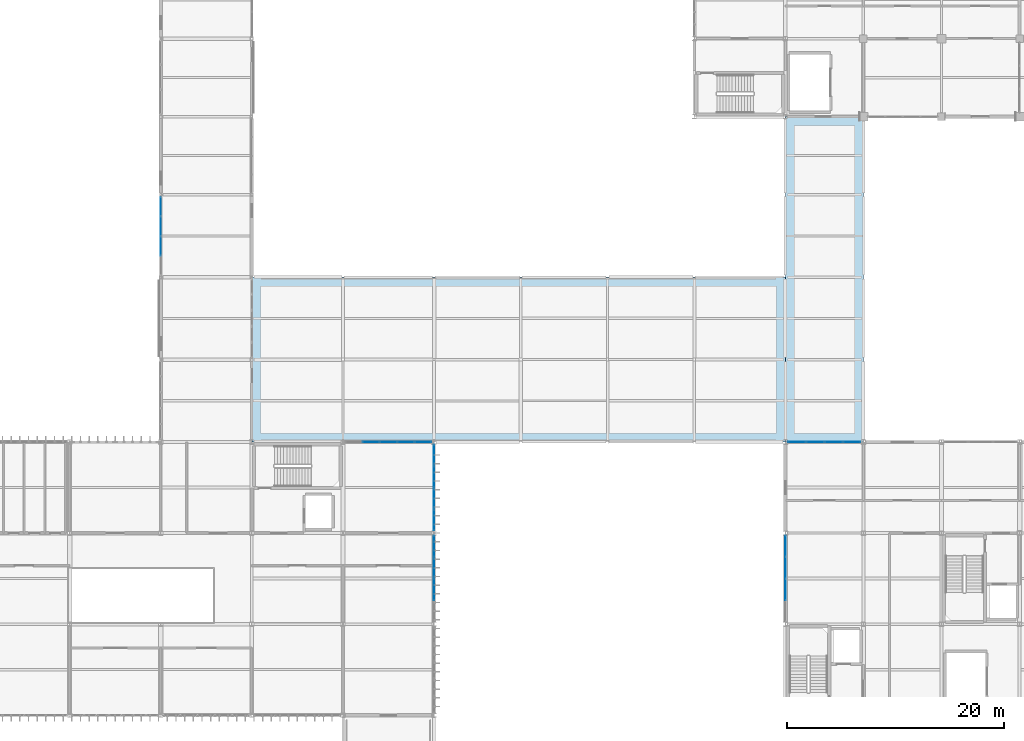
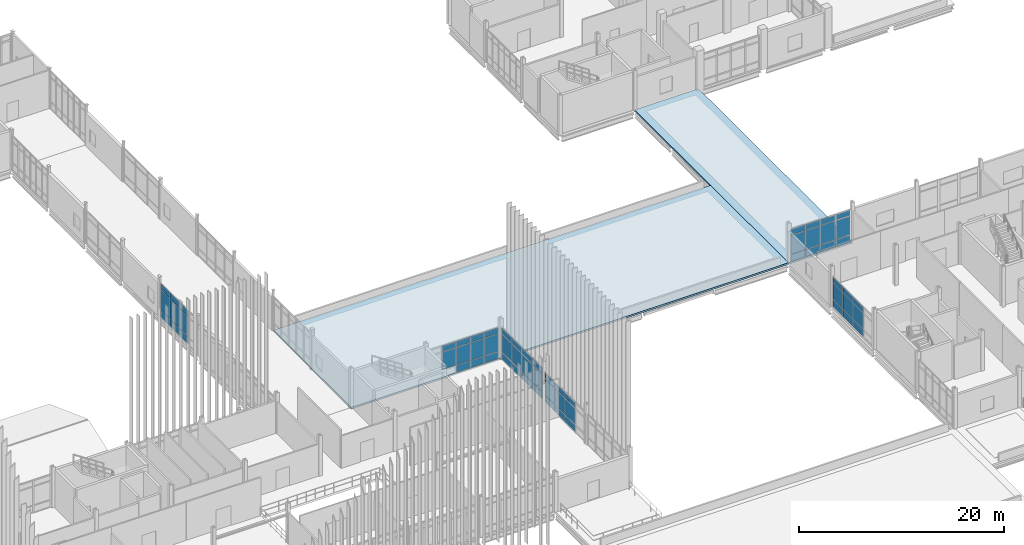
# One storey, part 100 of 153: 62 plates, 2 slabs, 6 elements without a shape of their own.
"""IFC4 building model written with IfcOpenShell, lengths in metres."""

from ifc_helpers import new_model, si_unit, direction, frame, origin, origin_2d, place, context, subcontext, project, spatial, polyline, rectangle, outline, extrude, material, layer, layer_set, type_object, element, aggregate, save


model = new_model("IFC4")

# Units and contexts
model_context = context("Model", 3, precision=1e-05, world=origin(), true_north=direction((0.0, 1.0)))
body_context = subcontext(model_context, "Body", "Model", "MODEL_VIEW")
ifc_project = project(units=[si_unit("LENGTHUNIT", "METRE"), si_unit("AREAUNIT", "SQUARE_METRE"), si_unit("VOLUMEUNIT", "CUBIC_METRE"), si_unit("PLANEANGLEUNIT", "RADIAN"), si_unit("MASSUNIT", "GRAM", prefix="KILO")], contexts=[model_context])

# Site, building, storey
site_placement = place(None, origin())
site = spatial("IfcSite", under=ifc_project, at=site_placement, CompositionType="ELEMENT")
building_placement = place(site_placement, origin())
building = spatial("IfcBuilding", under=site, at=building_placement, Name="Calvrana Isthmian Art Gallery", CompositionType="ELEMENT")
storey_placement = place(building_placement, frame((0.0, 0.0, 10.199951171875)))
storey = spatial("IfcBuildingStorey", under=building, at=storey_placement, Name="L02", CompositionType="ELEMENT", Elevation=10.199951171875)

# Curtain wall, plates
ifc_material_1 = material(Name="Anodized bronze aluminium 6063-T6", Category="aluminium")
ifc_layer_1 = layer(ifc_material_1, 0.179931640625, Name="Anodized bronze aluminium 6063-T6")
ifc_layer_set_1 = layer_set([ifc_layer_1], Name="Anodized bronze aluminium 6063-T6")
curtain_wall_type_1 = type_object("IfcCurtainWallType", Name="CW-UNIT-073X41", PredefinedType="USERDEFINED", material=ifc_layer_set_1)
curtain_wall_1_placement = place(storey_placement, origin())
curtain_wall_1 = element("IfcCurtainWall", 1, at=curtain_wall_1_placement, inside=storey, type_object=curtain_wall_type_1, Name="Curtain wall CW-170", ObjectType="UNITISED CURTAIN WALL", PredefinedType="USERDEFINED")
ifc_material_2 = material(Name="Polychrome glazed terracotta", Category="masonry")
ifc_layer_2 = layer(ifc_material_2, 0.033935546875, Name="Polychrome glazed terracotta")
ifc_layer_set_2 = layer_set([ifc_layer_2], Name="Polychrome glazed terracotta")
plate_type_1 = type_object("IfcPlateType", Name="CWP-SPANDREL-34", PredefinedType="CURTAIN_PANEL", material=ifc_layer_set_2)
plate_1_placement = place(storey_placement, frame((55.199951171875, 64.872314453125, 0.06005859375), z_axis=(0.0, 0.0, 1.0), x_axis=(0.0, 1.0, 0.0)))
plate_1 = element("IfcPlate", 2, at=plate_1_placement, type_object=plate_type_1, Name="CW-170 panel 2.1", PredefinedType="CURTAIN_PANEL", context=body_context, shape_type="SweptSolid", body=[
    extrude(rectangle(XDim=1.76513671875, YDim=0.033935546875, at=origin_2d()), origin(), (0.0, 0.0, 1.0), 0.81005859375),
])
plate_2_placement = place(storey_placement, frame((55.199951171875, 64.872314453125, 0.93017578125), z_axis=(0.0, 0.0, 1.0), x_axis=(0.0, 1.0, 0.0)))
plate_2 = element("IfcPlate", 3, at=plate_2_placement, type_object=plate_type_1, Name="CW-170 panel 2.2", PredefinedType="CURTAIN_PANEL", context=body_context, shape_type="SweptSolid", body=[
    extrude(rectangle(XDim=1.76513671875, YDim=0.033935546875, at=origin_2d()), origin(), (0.0, 0.0, 1.0), 2.367919921875),
])
plate_3_placement = place(storey_placement, frame((55.199951171875, 64.872314453125, 3.35791015625), z_axis=(0.0, 0.0, 1.0), x_axis=(0.0, 1.0, 0.0)))
plate_3 = element("IfcPlate", 4, at=plate_3_placement, type_object=plate_type_1, Name="CW-170 panel 2.3", PredefinedType="CURTAIN_PANEL", context=body_context, shape_type="SweptSolid", body=[
    extrude(rectangle(XDim=1.76513671875, YDim=0.033935546875, at=origin_2d()), origin(), (0.0, 0.0, 1.0), 0.659912109375),
])
plate_4_placement = place(storey_placement, frame((55.199951171875, 66.702392578125, 0.06005859375), z_axis=(0.0, 0.0, 1.0), x_axis=(0.0, 1.0, 0.0)))
plate_4 = element("IfcPlate", 5, at=plate_4_placement, type_object=plate_type_1, Name="CW-170 panel 3.1", PredefinedType="CURTAIN_PANEL", context=body_context, shape_type="SweptSolid", body=[
    extrude(rectangle(XDim=1.76513671875, YDim=0.033935546875, at=origin_2d()), origin(), (0.0, 0.0, 1.0), 0.81005859375),
])
plate_5_placement = place(storey_placement, frame((55.199951171875, 66.702392578125, 0.93017578125), z_axis=(0.0, 0.0, 1.0), x_axis=(0.0, 1.0, 0.0)))
plate_5 = element("IfcPlate", 6, at=plate_5_placement, type_object=plate_type_1, Name="CW-170 panel 3.2", PredefinedType="CURTAIN_PANEL", context=body_context, shape_type="SweptSolid", body=[
    extrude(rectangle(XDim=1.76513671875, YDim=0.033935546875, at=origin_2d()), origin(), (0.0, 0.0, 1.0), 2.367919921875),
])
plate_6_placement = place(storey_placement, frame((55.199951171875, 66.702392578125, 3.35791015625), z_axis=(0.0, 0.0, 1.0), x_axis=(0.0, 1.0, 0.0)))
plate_6 = element("IfcPlate", 7, at=plate_6_placement, type_object=plate_type_1, Name="CW-170 panel 3.3", PredefinedType="CURTAIN_PANEL", context=body_context, shape_type="SweptSolid", body=[
    extrude(rectangle(XDim=1.76513671875, YDim=0.033935546875, at=origin_2d()), origin(), (0.0, 0.0, 1.0), 0.659912109375),
])
plate_7_placement = place(storey_placement, frame((55.199951171875, 68.516357421875, 0.06005859375), z_axis=(0.0, 0.0, 1.0), x_axis=(0.0, 1.0, 0.0)))
plate_7 = element("IfcPlate", 8, at=plate_7_placement, type_object=plate_type_1, Name="CW-170 panel 4.1", PredefinedType="CURTAIN_PANEL", context=body_context, shape_type="SweptSolid", body=[
    extrude(rectangle(XDim=1.732666015625, YDim=0.033935546875, at=origin_2d()), origin(), (0.0, 0.0, 1.0), 0.81005859375),
])
plate_8_placement = place(storey_placement, frame((55.199951171875, 68.516357421875, 0.93017578125), z_axis=(0.0, 0.0, 1.0), x_axis=(0.0, 1.0, 0.0)))
plate_8 = element("IfcPlate", 9, at=plate_8_placement, type_object=plate_type_1, Name="CW-170 panel 4.2", PredefinedType="CURTAIN_PANEL", context=body_context, shape_type="SweptSolid", body=[
    extrude(rectangle(XDim=1.732666015625, YDim=0.033935546875, at=origin_2d()), origin(), (0.0, 0.0, 1.0), 2.367919921875),
])
plate_9_placement = place(storey_placement, frame((55.199951171875, 68.516357421875, 3.35791015625), z_axis=(0.0, 0.0, 1.0), x_axis=(0.0, 1.0, 0.0)))
plate_9 = element("IfcPlate", 10, at=plate_9_placement, type_object=plate_type_1, Name="CW-170 panel 4.3", PredefinedType="CURTAIN_PANEL", context=body_context, shape_type="SweptSolid", body=[
    extrude(rectangle(XDim=1.732666015625, YDim=0.033935546875, at=origin_2d()), origin(), (0.0, 0.0, 1.0), 0.659912109375),
])
aggregate(curtain_wall_1, [plate_1, plate_2, plate_3, plate_4, plate_5, plate_6, plate_7, plate_8, plate_9])

ifc_layer_3 = layer(ifc_material_1, 0.179931640625, Name="Anodized bronze aluminium 6063-T6")
ifc_layer_set_3 = layer_set([ifc_layer_3], Name="Anodized bronze aluminium 6063-T6")
curtain_wall_type_2 = type_object("IfcCurtainWallType", Name="CW-UNIT-080X38", PredefinedType="USERDEFINED", material=ifc_layer_set_3)
curtain_wall_2_placement = place(storey_placement, origin())
curtain_wall_2 = element("IfcCurtainWall", 11, at=curtain_wall_2_placement, inside=storey, type_object=curtain_wall_type_2, Name="Curtain wall CW-153", ObjectType="UNITISED CURTAIN WALL", PredefinedType="USERDEFINED")
ifc_material_3 = material(Name="Low-E laminated solar glass", Category="glass")
ifc_layer_4 = layer(ifc_material_3, 0.028076171875, Name="Low-E laminated solar glass")
ifc_layer_set_4 = layer_set([ifc_layer_4], Name="Low-E laminated solar glass")
plate_type_2 = type_object("IfcPlateType", Name="CWP-VISION-28", PredefinedType="CURTAIN_PANEL", material=ifc_layer_set_4)
plate_10_placement = place(storey_placement, frame((74.5908203125, 46.800048828125, 0.93505859375), z_axis=(0.0, 0.0, 1.0), x_axis=(1.0, 0.0, 0.0)))
plate_10 = element("IfcPlate", 12, at=plate_10_placement, type_object=plate_type_2, Name="CW-153 panel 2.2", PredefinedType="CURTAIN_PANEL", context=body_context, shape_type="SweptSolid", body=[
    extrude(rectangle(XDim=1.53271484375, YDim=0.028076171875, at=origin_2d()), origin(), (0.0, 0.0, 1.0), 2.05810546875),
])
plate_11_placement = place(storey_placement, frame((74.5908203125, 46.800048828125, 3.06298828125), z_axis=(0.0, 0.0, 1.0), x_axis=(1.0, 0.0, 0.0)))
plate_11 = element("IfcPlate", 13, at=plate_11_placement, type_object=plate_type_2, Name="CW-153 panel 2.3", PredefinedType="CURTAIN_PANEL", context=body_context, shape_type="SweptSolid", body=[
    extrude(rectangle(XDim=1.53271484375, YDim=0.028076171875, at=origin_2d()), origin(), (0.0, 0.0, 1.0), 0.64501953125),
])
plate_12_placement = place(storey_placement, frame((76.193603515625, 46.800048828125, 0.070068359375), z_axis=(0.0, 0.0, 1.0), x_axis=(1.0, 0.0, 0.0)))
plate_12 = element("IfcPlate", 14, at=plate_12_placement, type_object=plate_type_2, Name="CW-153 panel 3.1", PredefinedType="CURTAIN_PANEL", context=body_context, shape_type="SweptSolid", body=[
    extrude(rectangle(XDim=1.53271484375, YDim=0.028076171875, at=origin_2d()), origin(), (0.0, 0.0, 1.0), 0.794921875),
])
plate_13_placement = place(storey_placement, frame((76.193603515625, 46.800048828125, 0.93505859375), z_axis=(0.0, 0.0, 1.0), x_axis=(1.0, 0.0, 0.0)))
plate_13 = element("IfcPlate", 15, at=plate_13_placement, type_object=plate_type_2, Name="CW-153 panel 3.2", PredefinedType="CURTAIN_PANEL", context=body_context, shape_type="SweptSolid", body=[
    extrude(rectangle(XDim=1.53271484375, YDim=0.028076171875, at=origin_2d()), origin(), (0.0, 0.0, 1.0), 2.05810546875),
])
plate_14_placement = place(storey_placement, frame((76.193603515625, 46.800048828125, 3.06298828125), z_axis=(0.0, 0.0, 1.0), x_axis=(1.0, 0.0, 0.0)))
plate_14 = element("IfcPlate", 16, at=plate_14_placement, type_object=plate_type_2, Name="CW-153 panel 3.3", PredefinedType="CURTAIN_PANEL", context=body_context, shape_type="SweptSolid", body=[
    extrude(rectangle(XDim=1.53271484375, YDim=0.028076171875, at=origin_2d()), origin(), (0.0, 0.0, 1.0), 0.64501953125),
])
plate_15_placement = place(storey_placement, frame((77.79638671875, 46.800048828125, 0.070068359375), z_axis=(0.0, 0.0, 1.0), x_axis=(1.0, 0.0, 0.0)))
plate_15 = element("IfcPlate", 17, at=plate_15_placement, type_object=plate_type_2, Name="CW-153 panel 4.1", PredefinedType="CURTAIN_PANEL", context=body_context, shape_type="SweptSolid", body=[
    extrude(rectangle(XDim=1.53271484375, YDim=0.028076171875, at=origin_2d()), origin(), (0.0, 0.0, 1.0), 0.794921875),
])
plate_16_placement = place(storey_placement, frame((77.79638671875, 46.800048828125, 0.93505859375), z_axis=(0.0, 0.0, 1.0), x_axis=(1.0, 0.0, 0.0)))
plate_16 = element("IfcPlate", 18, at=plate_16_placement, type_object=plate_type_2, Name="CW-153 panel 4.2", PredefinedType="CURTAIN_PANEL", context=body_context, shape_type="SweptSolid", body=[
    extrude(rectangle(XDim=1.53271484375, YDim=0.028076171875, at=origin_2d()), origin(), (0.0, 0.0, 1.0), 2.05810546875),
])
plate_17_placement = place(storey_placement, frame((77.79638671875, 46.800048828125, 3.06298828125), z_axis=(0.0, 0.0, 1.0), x_axis=(1.0, 0.0, 0.0)))
plate_17 = element("IfcPlate", 19, at=plate_17_placement, type_object=plate_type_2, Name="CW-153 panel 4.3", PredefinedType="CURTAIN_PANEL", context=body_context, shape_type="SweptSolid", body=[
    extrude(rectangle(XDim=1.53271484375, YDim=0.028076171875, at=origin_2d()), origin(), (0.0, 0.0, 1.0), 0.64501953125),
])
plate_18_placement = place(storey_placement, frame((79.381591796875, 46.800048828125, 0.070068359375), z_axis=(0.0, 0.0, 1.0), x_axis=(1.0, 0.0, 0.0)))
plate_18 = element("IfcPlate", 20, at=plate_18_placement, type_object=plate_type_2, Name="CW-153 panel 5.1", PredefinedType="CURTAIN_PANEL", context=body_context, shape_type="SweptSolid", body=[
    extrude(rectangle(XDim=1.497802734375, YDim=0.028076171875, at=origin_2d()), origin(), (0.0, 0.0, 1.0), 0.794921875),
])
plate_19_placement = place(storey_placement, frame((79.381591796875, 46.800048828125, 0.93505859375), z_axis=(0.0, 0.0, 1.0), x_axis=(1.0, 0.0, 0.0)))
plate_19 = element("IfcPlate", 21, at=plate_19_placement, type_object=plate_type_2, Name="CW-153 panel 5.2", PredefinedType="CURTAIN_PANEL", context=body_context, shape_type="SweptSolid", body=[
    extrude(rectangle(XDim=1.497802734375, YDim=0.028076171875, at=origin_2d()), origin(), (0.0, 0.0, 1.0), 2.05810546875),
])
plate_20_placement = place(storey_placement, frame((79.381591796875, 46.800048828125, 3.06298828125), z_axis=(0.0, 0.0, 1.0), x_axis=(1.0, 0.0, 0.0)))
plate_20 = element("IfcPlate", 22, at=plate_20_placement, type_object=plate_type_2, Name="CW-153 panel 5.3", PredefinedType="CURTAIN_PANEL", context=body_context, shape_type="SweptSolid", body=[
    extrude(rectangle(XDim=1.497802734375, YDim=0.028076171875, at=origin_2d()), origin(), (0.0, 0.0, 1.0), 0.64501953125),
])
aggregate(curtain_wall_2, [plate_10, plate_11, plate_12, plate_13, plate_14, plate_15, plate_16, plate_17, plate_18, plate_19, plate_20])

ifc_layer_5 = layer(ifc_material_1, 0.179931640625, Name="Anodized bronze aluminium 6063-T6")
ifc_layer_set_5 = layer_set([ifc_layer_5], Name="Anodized bronze aluminium 6063-T6")
curtain_wall_type_3 = type_object("IfcCurtainWallType", Name="CW-STICK-068X39", PredefinedType="NOTDEFINED", material=ifc_layer_set_5)
curtain_wall_3_placement = place(storey_placement, origin())
curtain_wall_3 = element("IfcCurtainWall", 23, at=curtain_wall_3_placement, inside=storey, type_object=curtain_wall_type_3, Name="Curtain wall CW-154", PredefinedType="NOTDEFINED")
plate_21_placement = place(storey_placement, frame((113.86865234375, 46.800048828125, 0.074951171875), z_axis=(0.0, 0.0, 1.0), x_axis=(1.0, 0.0, 0.0)))
plate_21 = element("IfcPlate", 24, at=plate_21_placement, type_object=plate_type_2, Name="CW-154 panel 1.1", PredefinedType="CURTAIN_PANEL", context=body_context, shape_type="SweptSolid", body=[
    extrude(rectangle(XDim=1.588134765625, YDim=0.028076171875, at=origin_2d()), origin(), (0.0, 0.0, 1.0), 0.78759765625),
])
plate_22_placement = place(storey_placement, frame((113.86865234375, 46.800048828125, 0.9375), z_axis=(0.0, 0.0, 1.0), x_axis=(1.0, 0.0, 0.0)))
plate_22 = element("IfcPlate", 25, at=plate_22_placement, type_object=plate_type_2, Name="CW-154 panel 1.2", PredefinedType="CURTAIN_PANEL", context=body_context, shape_type="SweptSolid", body=[
    extrude(rectangle(XDim=1.588134765625, YDim=0.028076171875, at=origin_2d()), origin(), (0.0, 0.0, 1.0), 2.2080078125),
])
plate_23_placement = place(storey_placement, frame((113.86865234375, 46.800048828125, 3.220703125), z_axis=(0.0, 0.0, 1.0), x_axis=(1.0, 0.0, 0.0)))
plate_23 = element("IfcPlate", 26, at=plate_23_placement, type_object=plate_type_2, Name="CW-154 panel 1.3", PredefinedType="CURTAIN_PANEL", context=body_context, shape_type="SweptSolid", body=[
    extrude(rectangle(XDim=1.588134765625, YDim=0.028076171875, at=origin_2d()), origin(), (0.0, 0.0, 1.0), 0.637451171875),
])
plate_24_placement = place(storey_placement, frame((115.550537109375, 46.800048828125, 0.074951171875), z_axis=(0.0, 0.0, 1.0), x_axis=(1.0, 0.0, 0.0)))
plate_24 = element("IfcPlate", 27, at=plate_24_placement, type_object=plate_type_2, Name="CW-154 panel 2.1", PredefinedType="CURTAIN_PANEL", context=body_context, shape_type="SweptSolid", body=[
    extrude(rectangle(XDim=1.625732421875, YDim=0.028076171875, at=origin_2d()), origin(), (0.0, 0.0, 1.0), 0.78759765625),
])
plate_25_placement = place(storey_placement, frame((115.550537109375, 46.800048828125, 0.9375), z_axis=(0.0, 0.0, 1.0), x_axis=(1.0, 0.0, 0.0)))
plate_25 = element("IfcPlate", 28, at=plate_25_placement, type_object=plate_type_2, Name="CW-154 panel 2.2", PredefinedType="CURTAIN_PANEL", context=body_context, shape_type="SweptSolid", body=[
    extrude(rectangle(XDim=1.625732421875, YDim=0.028076171875, at=origin_2d()), origin(), (0.0, 0.0, 1.0), 2.2080078125),
])
plate_26_placement = place(storey_placement, frame((115.550537109375, 46.800048828125, 3.220703125), z_axis=(0.0, 0.0, 1.0), x_axis=(1.0, 0.0, 0.0)))
plate_26 = element("IfcPlate", 29, at=plate_26_placement, type_object=plate_type_2, Name="CW-154 panel 2.3", PredefinedType="CURTAIN_PANEL", context=body_context, shape_type="SweptSolid", body=[
    extrude(rectangle(XDim=1.625732421875, YDim=0.028076171875, at=origin_2d()), origin(), (0.0, 0.0, 1.0), 0.637451171875),
])
plate_27_placement = place(storey_placement, frame((117.2509765625, 46.800048828125, 0.074951171875), z_axis=(0.0, 0.0, 1.0), x_axis=(1.0, 0.0, 0.0)))
plate_27 = element("IfcPlate", 30, at=plate_27_placement, type_object=plate_type_2, Name="CW-154 panel 3.1", PredefinedType="CURTAIN_PANEL", context=body_context, shape_type="SweptSolid", body=[
    extrude(rectangle(XDim=1.625732421875, YDim=0.028076171875, at=origin_2d()), origin(), (0.0, 0.0, 1.0), 0.78759765625),
])
plate_28_placement = place(storey_placement, frame((117.2509765625, 46.800048828125, 0.9375), z_axis=(0.0, 0.0, 1.0), x_axis=(1.0, 0.0, 0.0)))
plate_28 = element("IfcPlate", 31, at=plate_28_placement, type_object=plate_type_2, Name="CW-154 panel 3.2", PredefinedType="CURTAIN_PANEL", context=body_context, shape_type="SweptSolid", body=[
    extrude(rectangle(XDim=1.625732421875, YDim=0.028076171875, at=origin_2d()), origin(), (0.0, 0.0, 1.0), 2.2080078125),
])
plate_29_placement = place(storey_placement, frame((117.2509765625, 46.800048828125, 3.220703125), z_axis=(0.0, 0.0, 1.0), x_axis=(1.0, 0.0, 0.0)))
plate_29 = element("IfcPlate", 32, at=plate_29_placement, type_object=plate_type_2, Name="CW-154 panel 3.3", PredefinedType="CURTAIN_PANEL", context=body_context, shape_type="SweptSolid", body=[
    extrude(rectangle(XDim=1.625732421875, YDim=0.028076171875, at=origin_2d()), origin(), (0.0, 0.0, 1.0), 0.637451171875),
])
plate_30_placement = place(storey_placement, frame((118.932861328125, 46.800048828125, 0.074951171875), z_axis=(0.0, 0.0, 1.0), x_axis=(1.0, 0.0, 0.0)))
plate_30 = element("IfcPlate", 33, at=plate_30_placement, type_object=plate_type_2, Name="CW-154 panel 4.1", PredefinedType="CURTAIN_PANEL", context=body_context, shape_type="SweptSolid", body=[
    extrude(rectangle(XDim=1.588134765625, YDim=0.028076171875, at=origin_2d()), origin(), (0.0, 0.0, 1.0), 0.78759765625),
])
plate_31_placement = place(storey_placement, frame((118.932861328125, 46.800048828125, 0.9375), z_axis=(0.0, 0.0, 1.0), x_axis=(1.0, 0.0, 0.0)))
plate_31 = element("IfcPlate", 34, at=plate_31_placement, type_object=plate_type_2, Name="CW-154 panel 4.2", PredefinedType="CURTAIN_PANEL", context=body_context, shape_type="SweptSolid", body=[
    extrude(rectangle(XDim=1.588134765625, YDim=0.028076171875, at=origin_2d()), origin(), (0.0, 0.0, 1.0), 2.2080078125),
])
plate_32_placement = place(storey_placement, frame((118.932861328125, 46.800048828125, 3.220703125), z_axis=(0.0, 0.0, 1.0), x_axis=(1.0, 0.0, 0.0)))
plate_32 = element("IfcPlate", 35, at=plate_32_placement, type_object=plate_type_2, Name="CW-154 panel 4.3", PredefinedType="CURTAIN_PANEL", context=body_context, shape_type="SweptSolid", body=[
    extrude(rectangle(XDim=1.588134765625, YDim=0.028076171875, at=origin_2d()), origin(), (0.0, 0.0, 1.0), 0.637451171875),
])
aggregate(curtain_wall_3, [plate_21, plate_22, plate_23, plate_24, plate_25, plate_26, plate_27, plate_28, plate_29, plate_30, plate_31, plate_32])

ifc_layer_6 = layer(ifc_material_1, 0.179931640625, Name="Anodized bronze aluminium 6063-T6")
ifc_layer_set_6 = layer_set([ifc_layer_6], Name="Anodized bronze aluminium 6063-T6")
curtain_wall_type_4 = type_object("IfcCurtainWallType", Name="CW-UNIT-080X36", PredefinedType="USERDEFINED", material=ifc_layer_set_6)
curtain_wall_4_placement = place(storey_placement, origin())
curtain_wall_4 = element("IfcCurtainWall", 36, at=curtain_wall_4_placement, inside=storey, type_object=curtain_wall_type_4, Name="Curtain wall CW-178", ObjectType="UNITISED CURTAIN WALL", PredefinedType="USERDEFINED")
plate_33_placement = place(storey_placement, frame((80.39990234375, 37.19287109375, 0.070068359375), z_axis=(0.0, 0.0, 1.0), x_axis=(0.0, -1.0, 0.0)))
plate_33 = element("IfcPlate", 37, at=plate_33_placement, type_object=plate_type_2, Name="CW-178 panel 1.1", PredefinedType="CURTAIN_PANEL", context=body_context, shape_type="SweptSolid", body=[
    extrude(rectangle(XDim=1.896240234375, YDim=0.028076171875, at=origin_2d()), origin(), (0.0, 0.0, 1.0), 0.794921875),
])
plate_34_placement = place(storey_placement, frame((80.39990234375, 37.19287109375, 0.93505859375), z_axis=(0.0, 0.0, 1.0), x_axis=(0.0, -1.0, 0.0)))
plate_34 = element("IfcPlate", 38, at=plate_34_placement, type_object=plate_type_2, Name="CW-178 panel 1.2", PredefinedType="CURTAIN_PANEL", context=body_context, shape_type="SweptSolid", body=[
    extrude(rectangle(XDim=1.896240234375, YDim=0.028076171875, at=origin_2d()), origin(), (0.0, 0.0, 1.0), 1.89306640625),
])
plate_35_placement = place(storey_placement, frame((80.39990234375, 37.19287109375, 2.89794921875), z_axis=(0.0, 0.0, 1.0), x_axis=(0.0, -1.0, 0.0)))
plate_35 = element("IfcPlate", 39, at=plate_35_placement, type_object=plate_type_2, Name="CW-178 panel 1.3", PredefinedType="CURTAIN_PANEL", context=body_context, shape_type="SweptSolid", body=[
    extrude(rectangle(XDim=1.896240234375, YDim=0.028076171875, at=origin_2d()), origin(), (0.0, 0.0, 1.0), 0.64501953125),
])
plate_36_placement = place(storey_placement, frame((80.39990234375, 35.203125, 0.070068359375), z_axis=(0.0, 0.0, 1.0), x_axis=(0.0, -1.0, 0.0)))
plate_36 = element("IfcPlate", 40, at=plate_36_placement, type_object=plate_type_2, Name="CW-178 panel 2.1", PredefinedType="CURTAIN_PANEL", context=body_context, shape_type="SweptSolid", body=[
    extrude(rectangle(XDim=1.93359375, YDim=0.028076171875, at=origin_2d()), origin(), (0.0, 0.0, 1.0), 0.794921875),
])
plate_37_placement = place(storey_placement, frame((80.39990234375, 35.203125, 0.93505859375), z_axis=(0.0, 0.0, 1.0), x_axis=(0.0, -1.0, 0.0)))
plate_37 = element("IfcPlate", 41, at=plate_37_placement, type_object=plate_type_2, Name="CW-178 panel 2.2", PredefinedType="CURTAIN_PANEL", context=body_context, shape_type="SweptSolid", body=[
    extrude(rectangle(XDim=1.93359375, YDim=0.028076171875, at=origin_2d()), origin(), (0.0, 0.0, 1.0), 1.89306640625),
])
plate_38_placement = place(storey_placement, frame((80.39990234375, 35.203125, 2.89794921875), z_axis=(0.0, 0.0, 1.0), x_axis=(0.0, -1.0, 0.0)))
plate_38 = element("IfcPlate", 42, at=plate_38_placement, type_object=plate_type_2, Name="CW-178 panel 2.3", PredefinedType="CURTAIN_PANEL", context=body_context, shape_type="SweptSolid", body=[
    extrude(rectangle(XDim=1.93359375, YDim=0.028076171875, at=origin_2d()), origin(), (0.0, 0.0, 1.0), 0.64501953125),
])
plate_39_placement = place(storey_placement, frame((80.39990234375, 33.1943359375, 0.070068359375), z_axis=(0.0, 0.0, 1.0), x_axis=(0.0, -1.0, 0.0)))
plate_39 = element("IfcPlate", 43, at=plate_39_placement, type_object=plate_type_2, Name="CW-178 panel 3.1", PredefinedType="CURTAIN_PANEL", context=body_context, shape_type="SweptSolid", body=[
    extrude(rectangle(XDim=1.93359375, YDim=0.028076171875, at=origin_2d()), origin(), (0.0, 0.0, 1.0), 0.794921875),
])
plate_40_placement = place(storey_placement, frame((80.39990234375, 33.1943359375, 0.93505859375), z_axis=(0.0, 0.0, 1.0), x_axis=(0.0, -1.0, 0.0)))
plate_40 = element("IfcPlate", 44, at=plate_40_placement, type_object=plate_type_2, Name="CW-178 panel 3.2", PredefinedType="CURTAIN_PANEL", context=body_context, shape_type="SweptSolid", body=[
    extrude(rectangle(XDim=1.93359375, YDim=0.028076171875, at=origin_2d()), origin(), (0.0, 0.0, 1.0), 1.89306640625),
])
plate_41_placement = place(storey_placement, frame((80.39990234375, 33.1943359375, 2.89794921875), z_axis=(0.0, 0.0, 1.0), x_axis=(0.0, -1.0, 0.0)))
plate_41 = element("IfcPlate", 45, at=plate_41_placement, type_object=plate_type_2, Name="CW-178 panel 3.3", PredefinedType="CURTAIN_PANEL", context=body_context, shape_type="SweptSolid", body=[
    extrude(rectangle(XDim=1.93359375, YDim=0.028076171875, at=origin_2d()), origin(), (0.0, 0.0, 1.0), 0.64501953125),
])
aggregate(curtain_wall_4, [plate_33, plate_34, plate_35, plate_36, plate_37, plate_38, plate_39, plate_40, plate_41])

curtain_wall_5_placement = place(storey_placement, origin())
curtain_wall_5 = element("IfcCurtainWall", 46, at=curtain_wall_5_placement, inside=storey, type_object=curtain_wall_type_2, Name="Curtain wall CW-179", ObjectType="UNITISED CURTAIN WALL", PredefinedType="USERDEFINED")
plate_42_placement = place(storey_placement, frame((80.39990234375, 45.584228515625, 0.074951171875), z_axis=(0.0, 0.0, 1.0), x_axis=(0.0, -1.0, 0.0)))
plate_42 = element("IfcPlate", 47, at=plate_42_placement, type_object=plate_type_2, Name="CW-179 panel 1.1", PredefinedType="CURTAIN_PANEL", context=body_context, shape_type="SweptSolid", body=[
    extrude(rectangle(XDim=1.8857421875, YDim=0.028076171875, at=origin_2d()), origin(), (0.0, 0.0, 1.0), 0.78759765625),
])
plate_43_placement = place(storey_placement, frame((80.39990234375, 45.584228515625, 0.9375), z_axis=(0.0, 0.0, 1.0), x_axis=(0.0, -1.0, 0.0)))
plate_43 = element("IfcPlate", 48, at=plate_43_placement, type_object=plate_type_2, Name="CW-179 panel 1.2", PredefinedType="CURTAIN_PANEL", context=body_context, shape_type="SweptSolid", body=[
    extrude(rectangle(XDim=1.8857421875, YDim=0.028076171875, at=origin_2d()), origin(), (0.0, 0.0, 1.0), 2.1220703125),
])
plate_44_placement = place(storey_placement, frame((80.39990234375, 45.584228515625, 3.134765625), z_axis=(0.0, 0.0, 1.0), x_axis=(0.0, -1.0, 0.0)))
plate_44 = element("IfcPlate", 49, at=plate_44_placement, type_object=plate_type_2, Name="CW-179 panel 1.3", PredefinedType="CURTAIN_PANEL", context=body_context, shape_type="SweptSolid", body=[
    extrude(rectangle(XDim=1.8857421875, YDim=0.028076171875, at=origin_2d()), origin(), (0.0, 0.0, 1.0), 0.637451171875),
])
plate_45_placement = place(storey_placement, frame((80.39990234375, 43.598388671875, 0.074951171875), z_axis=(0.0, 0.0, 1.0), x_axis=(0.0, -1.0, 0.0)))
plate_45 = element("IfcPlate", 50, at=plate_45_placement, type_object=plate_type_2, Name="CW-179 panel 2.1", PredefinedType="CURTAIN_PANEL", context=body_context, shape_type="SweptSolid", body=[
    extrude(rectangle(XDim=1.92578125, YDim=0.028076171875, at=origin_2d()), origin(), (0.0, 0.0, 1.0), 0.78759765625),
])
plate_46_placement = place(storey_placement, frame((80.39990234375, 43.598388671875, 0.9375), z_axis=(0.0, 0.0, 1.0), x_axis=(0.0, -1.0, 0.0)))
plate_46 = element("IfcPlate", 51, at=plate_46_placement, type_object=plate_type_2, Name="CW-179 panel 2.2", PredefinedType="CURTAIN_PANEL", context=body_context, shape_type="SweptSolid", body=[
    extrude(rectangle(XDim=1.92578125, YDim=0.028076171875, at=origin_2d()), origin(), (0.0, 0.0, 1.0), 2.1220703125),
])
plate_47_placement = place(storey_placement, frame((80.39990234375, 43.598388671875, 3.134765625), z_axis=(0.0, 0.0, 1.0), x_axis=(0.0, -1.0, 0.0)))
plate_47 = element("IfcPlate", 52, at=plate_47_placement, type_object=plate_type_2, Name="CW-179 panel 2.3", PredefinedType="CURTAIN_PANEL", context=body_context, shape_type="SweptSolid", body=[
    extrude(rectangle(XDim=1.92578125, YDim=0.028076171875, at=origin_2d()), origin(), (0.0, 0.0, 1.0), 0.637451171875),
])
plate_48_placement = place(storey_placement, frame((80.39990234375, 41.592529296875, 0.074951171875), z_axis=(0.0, 0.0, 1.0), x_axis=(0.0, -1.0, 0.0)))
plate_48 = element("IfcPlate", 53, at=plate_48_placement, type_object=plate_type_2, Name="CW-179 panel 3.1", PredefinedType="CURTAIN_PANEL", context=body_context, shape_type="SweptSolid", body=[
    extrude(rectangle(XDim=1.92578125, YDim=0.028076171875, at=origin_2d()), origin(), (0.0, 0.0, 1.0), 0.78759765625),
])
plate_49_placement = place(storey_placement, frame((80.39990234375, 41.592529296875, 0.9375), z_axis=(0.0, 0.0, 1.0), x_axis=(0.0, -1.0, 0.0)))
plate_49 = element("IfcPlate", 54, at=plate_49_placement, type_object=plate_type_2, Name="CW-179 panel 3.2", PredefinedType="CURTAIN_PANEL", context=body_context, shape_type="SweptSolid", body=[
    extrude(rectangle(XDim=1.92578125, YDim=0.028076171875, at=origin_2d()), origin(), (0.0, 0.0, 1.0), 2.1220703125),
])
plate_50_placement = place(storey_placement, frame((80.39990234375, 41.592529296875, 3.134765625), z_axis=(0.0, 0.0, 1.0), x_axis=(0.0, -1.0, 0.0)))
plate_50 = element("IfcPlate", 55, at=plate_50_placement, type_object=plate_type_2, Name="CW-179 panel 3.3", PredefinedType="CURTAIN_PANEL", context=body_context, shape_type="SweptSolid", body=[
    extrude(rectangle(XDim=1.92578125, YDim=0.028076171875, at=origin_2d()), origin(), (0.0, 0.0, 1.0), 0.637451171875),
])
plate_51_placement = place(storey_placement, frame((80.39990234375, 39.60693359375, 0.074951171875), z_axis=(0.0, 0.0, 1.0), x_axis=(0.0, -1.0, 0.0)))
plate_51 = element("IfcPlate", 56, at=plate_51_placement, type_object=plate_type_2, Name="CW-179 panel 4.1", PredefinedType="CURTAIN_PANEL", context=body_context, shape_type="SweptSolid", body=[
    extrude(rectangle(XDim=1.8857421875, YDim=0.028076171875, at=origin_2d()), origin(), (0.0, 0.0, 1.0), 0.78759765625),
])
plate_52_placement = place(storey_placement, frame((80.39990234375, 39.60693359375, 0.9375), z_axis=(0.0, 0.0, 1.0), x_axis=(0.0, -1.0, 0.0)))
plate_52 = element("IfcPlate", 57, at=plate_52_placement, type_object=plate_type_2, Name="CW-179 panel 4.2", PredefinedType="CURTAIN_PANEL", context=body_context, shape_type="SweptSolid", body=[
    extrude(rectangle(XDim=1.8857421875, YDim=0.028076171875, at=origin_2d()), origin(), (0.0, 0.0, 1.0), 2.1220703125),
])
plate_53_placement = place(storey_placement, frame((80.39990234375, 39.60693359375, 3.134765625), z_axis=(0.0, 0.0, 1.0), x_axis=(0.0, -1.0, 0.0)))
plate_53 = element("IfcPlate", 58, at=plate_53_placement, type_object=plate_type_2, Name="CW-179 panel 4.3", PredefinedType="CURTAIN_PANEL", context=body_context, shape_type="SweptSolid", body=[
    extrude(rectangle(XDim=1.8857421875, YDim=0.028076171875, at=origin_2d()), origin(), (0.0, 0.0, 1.0), 0.637451171875),
])
aggregate(curtain_wall_5, [plate_42, plate_43, plate_44, plate_45, plate_46, plate_47, plate_48, plate_49, plate_50, plate_51, plate_52, plate_53])

curtain_wall_6_placement = place(storey_placement, origin())
curtain_wall_6 = element("IfcCurtainWall", 59, at=curtain_wall_6_placement, inside=storey, type_object=curtain_wall_type_4, Name="Curtain wall CW-182", ObjectType="UNITISED CURTAIN WALL", PredefinedType="USERDEFINED")
plate_54_placement = place(storey_placement, frame((112.800048828125, 33.196044921875, 0.06494140625), z_axis=(0.0, 0.0, 1.0), x_axis=(0.0, 1.0, 0.0)))
plate_54 = element("IfcPlate", 60, at=plate_54_placement, type_object=plate_type_2, Name="CW-182 panel 2.1", PredefinedType="CURTAIN_PANEL", context=body_context, shape_type="SweptSolid", body=[
    extrude(rectangle(XDim=1.9404296875, YDim=0.028076171875, at=origin_2d()), origin(), (0.0, 0.0, 1.0), 0.802490234375),
])
plate_55_placement = place(storey_placement, frame((112.800048828125, 33.196044921875, 0.9326171875), z_axis=(0.0, 0.0, 1.0), x_axis=(0.0, 1.0, 0.0)))
plate_55 = element("IfcPlate", 61, at=plate_55_placement, type_object=plate_type_2, Name="CW-182 panel 2.2", PredefinedType="CURTAIN_PANEL", context=body_context, shape_type="SweptSolid", body=[
    extrude(rectangle(XDim=1.9404296875, YDim=0.028076171875, at=origin_2d()), origin(), (0.0, 0.0, 1.0), 1.89794921875),
])
plate_56_placement = place(storey_placement, frame((112.800048828125, 33.196044921875, 2.8955078125), z_axis=(0.0, 0.0, 1.0), x_axis=(0.0, 1.0, 0.0)))
plate_56 = element("IfcPlate", 62, at=plate_56_placement, type_object=plate_type_2, Name="CW-182 panel 2.3", PredefinedType="CURTAIN_PANEL", context=body_context, shape_type="SweptSolid", body=[
    extrude(rectangle(XDim=1.9404296875, YDim=0.028076171875, at=origin_2d()), origin(), (0.0, 0.0, 1.0), 0.652587890625),
])
plate_57_placement = place(storey_placement, frame((112.800048828125, 35.201416015625, 0.06494140625), z_axis=(0.0, 0.0, 1.0), x_axis=(0.0, 1.0, 0.0)))
plate_57 = element("IfcPlate", 63, at=plate_57_placement, type_object=plate_type_2, Name="CW-182 panel 3.1", PredefinedType="CURTAIN_PANEL", context=body_context, shape_type="SweptSolid", body=[
    extrude(rectangle(XDim=1.9404296875, YDim=0.028076171875, at=origin_2d()), origin(), (0.0, 0.0, 1.0), 0.802490234375),
])
plate_58_placement = place(storey_placement, frame((112.800048828125, 35.201416015625, 0.9326171875), z_axis=(0.0, 0.0, 1.0), x_axis=(0.0, 1.0, 0.0)))
plate_58 = element("IfcPlate", 64, at=plate_58_placement, type_object=plate_type_2, Name="CW-182 panel 3.2", PredefinedType="CURTAIN_PANEL", context=body_context, shape_type="SweptSolid", body=[
    extrude(rectangle(XDim=1.9404296875, YDim=0.028076171875, at=origin_2d()), origin(), (0.0, 0.0, 1.0), 1.89794921875),
])
plate_59_placement = place(storey_placement, frame((112.800048828125, 35.201416015625, 2.8955078125), z_axis=(0.0, 0.0, 1.0), x_axis=(0.0, 1.0, 0.0)))
plate_59 = element("IfcPlate", 65, at=plate_59_placement, type_object=plate_type_2, Name="CW-182 panel 3.3", PredefinedType="CURTAIN_PANEL", context=body_context, shape_type="SweptSolid", body=[
    extrude(rectangle(XDim=1.9404296875, YDim=0.028076171875, at=origin_2d()), origin(), (0.0, 0.0, 1.0), 0.652587890625),
])
plate_60_placement = place(storey_placement, frame((112.800048828125, 37.190673828125, 0.06494140625), z_axis=(0.0, 0.0, 1.0), x_axis=(0.0, 1.0, 0.0)))
plate_60 = element("IfcPlate", 66, at=plate_60_placement, type_object=plate_type_2, Name="CW-182 panel 4.1", PredefinedType="CURTAIN_PANEL", context=body_context, shape_type="SweptSolid", body=[
    extrude(rectangle(XDim=1.907958984375, YDim=0.028076171875, at=origin_2d()), origin(), (0.0, 0.0, 1.0), 0.802490234375),
])
plate_61_placement = place(storey_placement, frame((112.800048828125, 37.190673828125, 0.9326171875), z_axis=(0.0, 0.0, 1.0), x_axis=(0.0, 1.0, 0.0)))
plate_61 = element("IfcPlate", 67, at=plate_61_placement, type_object=plate_type_2, Name="CW-182 panel 4.2", PredefinedType="CURTAIN_PANEL", context=body_context, shape_type="SweptSolid", body=[
    extrude(rectangle(XDim=1.907958984375, YDim=0.028076171875, at=origin_2d()), origin(), (0.0, 0.0, 1.0), 1.89794921875),
])
plate_62_placement = place(storey_placement, frame((112.800048828125, 37.190673828125, 2.8955078125), z_axis=(0.0, 0.0, 1.0), x_axis=(0.0, 1.0, 0.0)))
plate_62 = element("IfcPlate", 68, at=plate_62_placement, type_object=plate_type_2, Name="CW-182 panel 4.3", PredefinedType="CURTAIN_PANEL", context=body_context, shape_type="SweptSolid", body=[
    extrude(rectangle(XDim=1.907958984375, YDim=0.028076171875, at=origin_2d()), origin(), (0.0, 0.0, 1.0), 0.652587890625),
])
aggregate(curtain_wall_6, [plate_54, plate_55, plate_56, plate_57, plate_58, plate_59, plate_60, plate_61, plate_62])

# Slabs
ifc_material_4 = material(Name="Concrete C40/50", Category="concrete")
ifc_layer_7 = layer(ifc_material_4, 0.199951171875, Name="Concrete C40/50")
ifc_layer_set_7 = layer_set([ifc_layer_7], Name="Concrete C40/50")
slab_type = type_object("IfcSlabType", Name="SLB-ROOF-200", PredefinedType="ROOF", material=ifc_layer_set_7)
slab_1_placement = place(storey_placement, frame((0.0, 0.0, -0.199951171875)))
element("IfcSlab", 69, at=slab_1_placement, inside=storey, type_object=slab_type, Name="Flat roof slab ROOF_V2N_L02", PredefinedType="ROOF", context=body_context, shape_type="SweptSolid", body=[
    extrude(outline(polyline([(63.60009765625, 46.800048828125), (112.800048828125, 46.800048828125), (112.800048828125, 62.0), (63.60009765625, 62.0), (63.60009765625, 46.800048828125)])), origin(), (0.0, 0.0, 1.0), 0.199951171875),
])
slab_2_placement = place(storey_placement, frame((0.0, 0.0, -0.199951171875)))
element("IfcSlab", 70, at=slab_2_placement, inside=storey, type_object=slab_type, Name="Flat roof slab ROOF_V5L_L02", PredefinedType="ROOF", context=body_context, shape_type="SweptSolid", body=[
    extrude(outline(polyline([(112.800048828125, 46.800048828125), (120.0, 46.800048828125), (120.0, 76.800048828125), (112.800048828125, 76.800048828125), (112.800048828125, 46.800048828125)])), origin(), (0.0, 0.0, 1.0), 0.199951171875),
])

save(model, "model.ifc")
